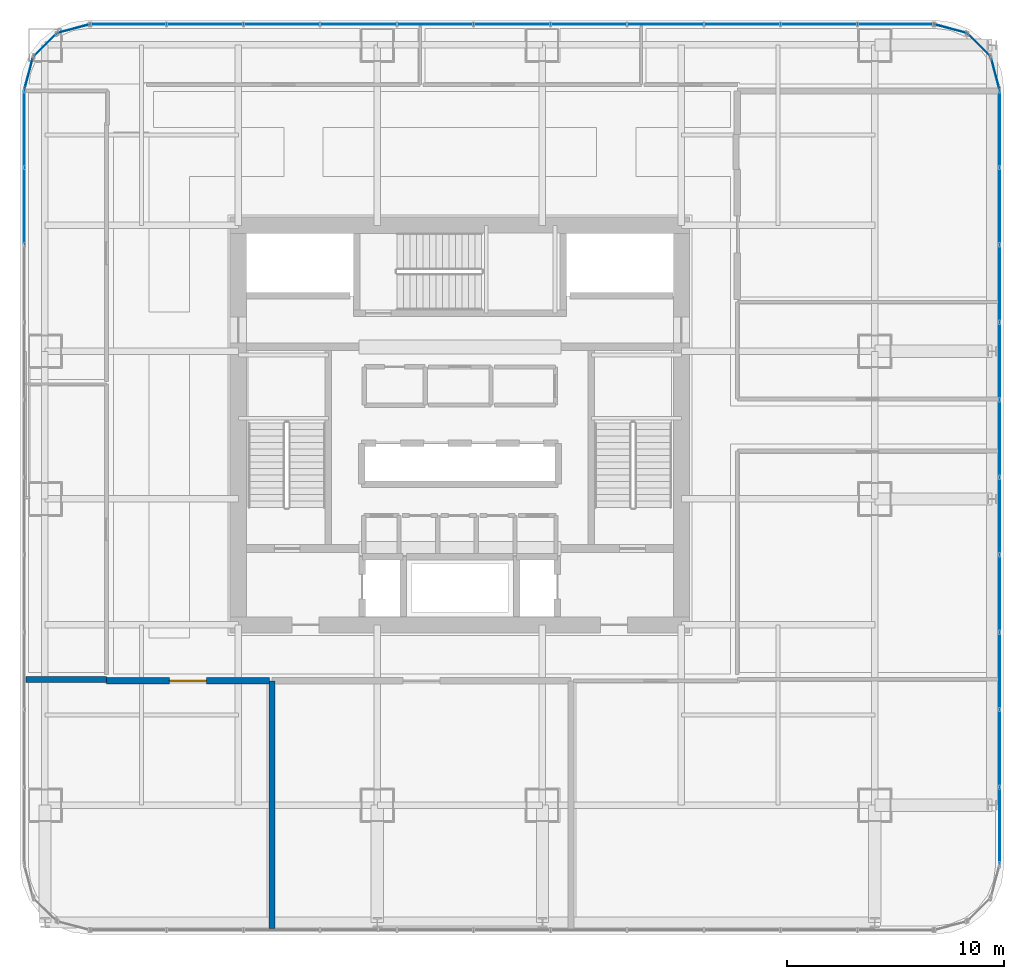
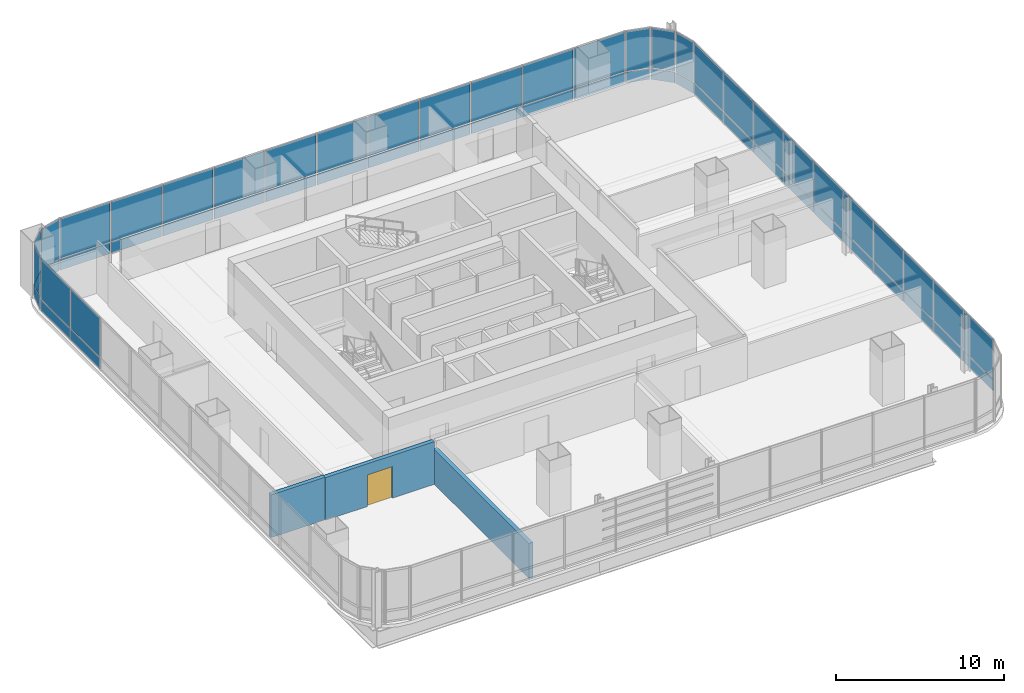
# One storey, part 26 of 34: 58 plates, 3 walls, 1 door, 1 opening, 9 elements without a shape of their own.
"""IFC4 building model written with IfcOpenShell, lengths in metres."""

from ifc_helpers import new_model, si_unit, direction, frame, frame_2d, origin, origin_2d, place, context, subcontext, project, spatial, rectangle, extrude, material, layer, layer_set, type_object, element, fill, aggregate, save


model = new_model("IFC4")

# Units and contexts
model_context = context("Model", 3, precision=1e-05, world=origin(), true_north=direction((0.0, 1.0)))
body_context = subcontext(model_context, "Body", "Model", "MODEL_VIEW")
ifc_project = project(units=[si_unit("LENGTHUNIT", "METRE"), si_unit("AREAUNIT", "SQUARE_METRE"), si_unit("VOLUMEUNIT", "CUBIC_METRE"), si_unit("PLANEANGLEUNIT", "RADIAN"), si_unit("MASSUNIT", "GRAM", prefix="KILO")], contexts=[model_context])

# Site, building, storey
site_placement = place(None, origin())
site = spatial("IfcSite", under=ifc_project, at=site_placement, CompositionType="ELEMENT")
building_placement = place(site_placement, origin())
building = spatial("IfcBuilding", under=site, at=building_placement, Name="Punatoya Terracotta Tower", CompositionType="ELEMENT")
storey_placement = place(building_placement, frame((0.0, 0.0, 80.85009765625)))
storey = spatial("IfcBuildingStorey", under=building, at=storey_placement, Name="L18", CompositionType="ELEMENT", Elevation=80.85009765625)

# Curtain wall, plates
ifc_material_1 = material(Name="Aluminium 6063-T6 + Double Low-E Glass", Category="aluminium")
curtain_wall_type = type_object("IfcCurtainWallType", Name="CW-M1", PredefinedType="NOTDEFINED", material=ifc_material_1)
curtain_wall_1_placement = place(storey_placement, origin())
curtain_wall_1 = element("IfcCurtainWall", 1, at=curtain_wall_1_placement, inside=storey, type_object=curtain_wall_type, Name="L18 Curtain Wall CW-L18-E05-1", PredefinedType="NOTDEFINED")
ifc_material_2 = material(Name="Double Low-E Clear Vision Glass", Category="glass")
ifc_layer_1 = layer(ifc_material_2, 0.028076171875)
ifc_layer_set_1 = layer_set([ifc_layer_1], Name="Double Low-E Clear Vision Glass")
plate_type_1 = type_object("IfcPlateType", Name="PLT-GLZ-28", PredefinedType="CURTAIN_PANEL", material=ifc_layer_set_1)
plate_1_placement = place(storey_placement, frame((24.85009765625, -18.453125, 0.889892578125), z_axis=(0.0, 0.0, 1.0), x_axis=(0.0, 1.0, 0.0)))
plate_1 = element("IfcPlate", 2, at=plate_1_placement, type_object=plate_type_1, Name="CW-L18-E05-1 Vision Glass Panel 1", PredefinedType="CURTAIN_PANEL", context=body_context, shape_type="SweptSolid", body=[
    extrude(rectangle(XDim=3.482421875, YDim=0.028076171875, at=origin_2d()), origin(), (0.0, 0.0, 1.0), 2.8798828125),
])
plate_2_placement = place(storey_placement, frame((24.85009765625, -14.8857421875, 0.889892578125), z_axis=(0.0, 0.0, 1.0), x_axis=(0.0, 1.0, 0.0)))
plate_2 = element("IfcPlate", 3, at=plate_2_placement, type_object=plate_type_1, Name="CW-L18-E05-1 Vision Glass Panel 2", PredefinedType="CURTAIN_PANEL", context=body_context, shape_type="SweptSolid", body=[
    extrude(rectangle(XDim=3.482421875, YDim=0.028076171875, at=origin_2d()), origin(), (0.0, 0.0, 1.0), 2.8798828125),
])
plate_3_placement = place(storey_placement, frame((24.85009765625, -11.318359375, 0.889892578125), z_axis=(0.0, 0.0, 1.0), x_axis=(0.0, 1.0, 0.0)))
plate_3 = element("IfcPlate", 4, at=plate_3_placement, type_object=plate_type_1, Name="CW-L18-E05-1 Vision Glass Panel 3", PredefinedType="CURTAIN_PANEL", context=body_context, shape_type="SweptSolid", body=[
    extrude(rectangle(XDim=3.482421875, YDim=0.028076171875, at=origin_2d()), origin(), (0.0, 0.0, 1.0), 2.8798828125),
])
plate_4_placement = place(storey_placement, frame((24.85009765625, -7.751220703125, 0.889892578125), z_axis=(0.0, 0.0, 1.0), x_axis=(0.0, 1.0, 0.0)))
plate_4 = element("IfcPlate", 5, at=plate_4_placement, type_object=plate_type_1, Name="CW-L18-E05-1 Vision Glass Panel 4", PredefinedType="CURTAIN_PANEL", context=body_context, shape_type="SweptSolid", body=[
    extrude(rectangle(XDim=3.482421875, YDim=0.028076171875, at=origin_2d()), origin(), (0.0, 0.0, 1.0), 2.8798828125),
])
plate_5_placement = place(storey_placement, frame((24.85009765625, -4.18359375, 0.889892578125), z_axis=(0.0, 0.0, 1.0), x_axis=(0.0, 1.0, 0.0)))
plate_5 = element("IfcPlate", 6, at=plate_5_placement, type_object=plate_type_1, Name="CW-L18-E05-1 Vision Glass Panel 5", PredefinedType="CURTAIN_PANEL", context=body_context, shape_type="SweptSolid", body=[
    extrude(rectangle(XDim=3.482421875, YDim=0.028076171875, at=origin_2d()), origin(), (0.0, 0.0, 1.0), 2.8798828125),
])
plate_6_placement = place(storey_placement, frame((24.85009765625, -0.6162109375, 0.889892578125), z_axis=(0.0, 0.0, 1.0), x_axis=(0.0, 1.0, 0.0)))
plate_6 = element("IfcPlate", 7, at=plate_6_placement, type_object=plate_type_1, Name="CW-L18-E05-1 Vision Glass Panel 6", PredefinedType="CURTAIN_PANEL", context=body_context, shape_type="SweptSolid", body=[
    extrude(rectangle(XDim=3.482421875, YDim=0.028076171875, at=origin_2d()), origin(), (0.0, 0.0, 1.0), 2.8798828125),
])
plate_7_placement = place(storey_placement, frame((24.85009765625, 2.951171875, 0.889892578125), z_axis=(0.0, 0.0, 1.0), x_axis=(0.0, 1.0, 0.0)))
plate_7 = element("IfcPlate", 8, at=plate_7_placement, type_object=plate_type_1, Name="CW-L18-E05-1 Vision Glass Panel 7", PredefinedType="CURTAIN_PANEL", context=body_context, shape_type="SweptSolid", body=[
    extrude(rectangle(XDim=3.482421875, YDim=0.028076171875, at=origin_2d()), origin(), (0.0, 0.0, 1.0), 2.8798828125),
])
plate_8_placement = place(storey_placement, frame((24.85009765625, 6.518310546875, 0.889892578125), z_axis=(0.0, 0.0, 1.0), x_axis=(0.0, 1.0, 0.0)))
plate_8 = element("IfcPlate", 9, at=plate_8_placement, type_object=plate_type_1, Name="CW-L18-E05-1 Vision Glass Panel 8", PredefinedType="CURTAIN_PANEL", context=body_context, shape_type="SweptSolid", body=[
    extrude(rectangle(XDim=3.482421875, YDim=0.028076171875, at=origin_2d()), origin(), (0.0, 0.0, 1.0), 2.8798828125),
])
plate_9_placement = place(storey_placement, frame((24.85009765625, 10.085693359375, 0.889892578125), z_axis=(0.0, 0.0, 1.0), x_axis=(0.0, 1.0, 0.0)))
plate_9 = element("IfcPlate", 10, at=plate_9_placement, type_object=plate_type_1, Name="CW-L18-E05-1 Vision Glass Panel 9", PredefinedType="CURTAIN_PANEL", context=body_context, shape_type="SweptSolid", body=[
    extrude(rectangle(XDim=3.482421875, YDim=0.028076171875, at=origin_2d()), origin(), (0.0, 0.0, 1.0), 2.8798828125),
])
plate_10_placement = place(storey_placement, frame((24.85009765625, 13.6533203125, 0.889892578125), z_axis=(0.0, 0.0, 1.0), x_axis=(0.0, 1.0, 0.0)))
plate_10 = element("IfcPlate", 11, at=plate_10_placement, type_object=plate_type_1, Name="CW-L18-E05-1 Vision Glass Panel 10", PredefinedType="CURTAIN_PANEL", context=body_context, shape_type="SweptSolid", body=[
    extrude(rectangle(XDim=3.482421875, YDim=0.028076171875, at=origin_2d()), origin(), (0.0, 0.0, 1.0), 2.8798828125),
])

# Curtain wall, plate
curtain_wall_2_placement = place(storey_placement, origin())
curtain_wall_2 = element("IfcCurtainWall", 12, at=curtain_wall_2_placement, inside=storey, type_object=curtain_wall_type, Name="L18 Curtain Wall CW-L18-CRN06", PredefinedType="NOTDEFINED")
plate_11_placement = place(storey_placement, frame((24.648193359375, 16.193115234375, 0.889892578125), z_axis=(0.0, 0.0, 1.0), x_axis=(-0.257741620719, 0.966213877436, 0.0)))
plate_11 = element("IfcPlate", 13, at=plate_11_placement, type_object=plate_type_1, Name="CW-L18-CRN06 Vision Glass Panel 1", PredefinedType="CURTAIN_PANEL", context=body_context, shape_type="SweptSolid", body=[
    extrude(rectangle(XDim=1.47998046875, YDim=0.028076171875, at=origin_2d()), origin(), (0.0, 0.0, 1.0), 2.8798828125),
])

curtain_wall_3_placement = place(storey_placement, origin())
curtain_wall_3 = element("IfcCurtainWall", 14, at=curtain_wall_3_placement, inside=storey, type_object=curtain_wall_type, Name="L18 Curtain Wall CW-L18-CRN07", PredefinedType="NOTDEFINED")
plate_12_placement = place(storey_placement, frame((23.89794921875, 17.497802734375, 0.889892578125), z_axis=(0.0, 0.0, 1.0), x_axis=(-0.707106781187, 0.707106781187, 0.0)))
plate_12 = element("IfcPlate", 15, at=plate_12_placement, type_object=plate_type_1, Name="CW-L18-CRN07 Vision Glass Panel 1", PredefinedType="CURTAIN_PANEL", context=body_context, shape_type="SweptSolid", body=[
    extrude(rectangle(XDim=1.467041015625, YDim=0.028076171875, at=origin_2d()), origin(), (0.0, 0.0, 1.0), 2.8798828125),
])

curtain_wall_4_placement = place(storey_placement, origin())
curtain_wall_4 = element("IfcCurtainWall", 16, at=curtain_wall_4_placement, inside=storey, type_object=curtain_wall_type, Name="L18 Curtain Wall CW-L18-CRN08", PredefinedType="NOTDEFINED")
plate_13_placement = place(storey_placement, frame((22.593017578125, 18.248291015625, 0.889892578125), z_axis=(0.0, 0.0, 1.0), x_axis=(-0.966213877436, 0.257741620719, 0.0)))
plate_13 = element("IfcPlate", 17, at=plate_13_placement, type_object=plate_type_1, Name="CW-L18-CRN08 Vision Glass Panel 1", PredefinedType="CURTAIN_PANEL", context=body_context, shape_type="SweptSolid", body=[
    extrude(rectangle(XDim=1.47998046875, YDim=0.028076171875, at=origin_2d()), origin(), (0.0, 0.0, 1.0), 2.8798828125),
])

# Curtain wall, plates
curtain_wall_5_placement = place(storey_placement, origin())
curtain_wall_5 = element("IfcCurtainWall", 18, at=curtain_wall_5_placement, inside=storey, type_object=curtain_wall_type, Name="L18 Curtain Wall CW-L18-N09-1", PredefinedType="NOTDEFINED")
plate_14_placement = place(storey_placement, frame((20.06982421875, 18.449951171875, 0.889892578125), z_axis=(0.0, 0.0, 1.0), x_axis=(-1.0, 0.0, 0.0)))
plate_14 = element("IfcPlate", 19, at=plate_14_placement, type_object=plate_type_1, Name="CW-L18-N09-1 Vision Glass Panel 1", PredefinedType="CURTAIN_PANEL", context=body_context, shape_type="SweptSolid", body=[
    extrude(rectangle(XDim=3.448974609375, YDim=0.028076171875, at=origin_2d()), origin(), (0.0, 0.0, 1.0), 2.8798828125),
])
plate_15_placement = place(storey_placement, frame((16.535888671875, 18.449951171875, 0.889892578125), z_axis=(0.0, 0.0, 1.0), x_axis=(-1.0, 0.0, 0.0)))
plate_15 = element("IfcPlate", 20, at=plate_15_placement, type_object=plate_type_1, Name="CW-L18-N09-1 Vision Glass Panel 2", PredefinedType="CURTAIN_PANEL", context=body_context, shape_type="SweptSolid", body=[
    extrude(rectangle(XDim=3.448974609375, YDim=0.028076171875, at=origin_2d()), origin(), (0.0, 0.0, 1.0), 2.8798828125),
])
plate_16_placement = place(storey_placement, frame((13.001953125, 18.449951171875, 0.889892578125), z_axis=(0.0, 0.0, 1.0), x_axis=(-1.0, 0.0, 0.0)))
plate_16 = element("IfcPlate", 21, at=plate_16_placement, type_object=plate_type_1, Name="CW-L18-N09-1 Vision Glass Panel 3", PredefinedType="CURTAIN_PANEL", context=body_context, shape_type="SweptSolid", body=[
    extrude(rectangle(XDim=3.448974609375, YDim=0.028076171875, at=origin_2d()), origin(), (0.0, 0.0, 1.0), 2.8798828125),
])
plate_17_placement = place(storey_placement, frame((9.468017578125, 18.449951171875, 0.889892578125), z_axis=(0.0, 0.0, 1.0), x_axis=(-1.0, 0.0, 0.0)))
plate_17 = element("IfcPlate", 22, at=plate_17_placement, type_object=plate_type_1, Name="CW-L18-N09-1 Vision Glass Panel 4", PredefinedType="CURTAIN_PANEL", context=body_context, shape_type="SweptSolid", body=[
    extrude(rectangle(XDim=3.448974609375, YDim=0.028076171875, at=origin_2d()), origin(), (0.0, 0.0, 1.0), 2.8798828125),
])
plate_18_placement = place(storey_placement, frame((5.93408203125, 18.449951171875, 0.889892578125), z_axis=(0.0, 0.0, 1.0), x_axis=(-1.0, 0.0, 0.0)))
plate_18 = element("IfcPlate", 23, at=plate_18_placement, type_object=plate_type_1, Name="CW-L18-N09-1 Vision Glass Panel 5", PredefinedType="CURTAIN_PANEL", context=body_context, shape_type="SweptSolid", body=[
    extrude(rectangle(XDim=3.448974609375, YDim=0.028076171875, at=origin_2d()), origin(), (0.0, 0.0, 1.0), 2.8798828125),
])
plate_19_placement = place(storey_placement, frame((2.39990234375, 18.449951171875, 0.889892578125), z_axis=(0.0, 0.0, 1.0), x_axis=(-1.0, 0.0, 0.0)))
plate_19 = element("IfcPlate", 24, at=plate_19_placement, type_object=plate_type_1, Name="CW-L18-N09-1 Vision Glass Panel 6", PredefinedType="CURTAIN_PANEL", context=body_context, shape_type="SweptSolid", body=[
    extrude(rectangle(XDim=3.448974609375, YDim=0.028076171875, at=origin_2d()), origin(), (0.0, 0.0, 1.0), 2.8798828125),
])
plate_20_placement = place(storey_placement, frame((-1.134033203125, 18.449951171875, 0.889892578125), z_axis=(0.0, 0.0, 1.0), x_axis=(-1.0, 0.0, 0.0)))
plate_20 = element("IfcPlate", 25, at=plate_20_placement, type_object=plate_type_1, Name="CW-L18-N09-1 Vision Glass Panel 7", PredefinedType="CURTAIN_PANEL", context=body_context, shape_type="SweptSolid", body=[
    extrude(rectangle(XDim=3.448974609375, YDim=0.028076171875, at=origin_2d()), origin(), (0.0, 0.0, 1.0), 2.8798828125),
])
plate_21_placement = place(storey_placement, frame((-4.66796875, 18.449951171875, 0.889892578125), z_axis=(0.0, 0.0, 1.0), x_axis=(-1.0, 0.0, 0.0)))
plate_21 = element("IfcPlate", 26, at=plate_21_placement, type_object=plate_type_1, Name="CW-L18-N09-1 Vision Glass Panel 8", PredefinedType="CURTAIN_PANEL", context=body_context, shape_type="SweptSolid", body=[
    extrude(rectangle(XDim=3.448974609375, YDim=0.028076171875, at=origin_2d()), origin(), (0.0, 0.0, 1.0), 2.8798828125),
])
plate_22_placement = place(storey_placement, frame((-8.201904296875, 18.449951171875, 0.889892578125), z_axis=(0.0, 0.0, 1.0), x_axis=(-1.0, 0.0, 0.0)))
plate_22 = element("IfcPlate", 27, at=plate_22_placement, type_object=plate_type_1, Name="CW-L18-N09-1 Vision Glass Panel 9", PredefinedType="CURTAIN_PANEL", context=body_context, shape_type="SweptSolid", body=[
    extrude(rectangle(XDim=3.448974609375, YDim=0.028076171875, at=origin_2d()), origin(), (0.0, 0.0, 1.0), 2.8798828125),
])
plate_23_placement = place(storey_placement, frame((-11.73583984375, 18.449951171875, 0.889892578125), z_axis=(0.0, 0.0, 1.0), x_axis=(-1.0, 0.0, 0.0)))
plate_23 = element("IfcPlate", 28, at=plate_23_placement, type_object=plate_type_1, Name="CW-L18-N09-1 Vision Glass Panel 10", PredefinedType="CURTAIN_PANEL", context=body_context, shape_type="SweptSolid", body=[
    extrude(rectangle(XDim=3.448974609375, YDim=0.028076171875, at=origin_2d()), origin(), (0.0, 0.0, 1.0), 2.8798828125),
])
plate_24_placement = place(storey_placement, frame((-15.27001953125, 18.449951171875, 0.889892578125), z_axis=(0.0, 0.0, 1.0), x_axis=(-1.0, 0.0, 0.0)))
plate_24 = element("IfcPlate", 29, at=plate_24_placement, type_object=plate_type_1, Name="CW-L18-N09-1 Vision Glass Panel 11", PredefinedType="CURTAIN_PANEL", context=body_context, shape_type="SweptSolid", body=[
    extrude(rectangle(XDim=3.448974609375, YDim=0.028076171875, at=origin_2d()), origin(), (0.0, 0.0, 1.0), 2.8798828125),
])

# Curtain wall, plate
curtain_wall_6_placement = place(storey_placement, origin())
curtain_wall_6 = element("IfcCurtainWall", 30, at=curtain_wall_6_placement, inside=storey, type_object=curtain_wall_type, Name="L18 Curtain Wall CW-L18-CRN10", PredefinedType="NOTDEFINED")
plate_25_placement = place(storey_placement, frame((-17.79296875, 18.248291015625, 0.889892578125), z_axis=(0.0, 0.0, 1.0), x_axis=(-0.966213877436, -0.257741620719, 0.0)))
plate_25 = element("IfcPlate", 31, at=plate_25_placement, type_object=plate_type_1, Name="CW-L18-CRN10 Vision Glass Panel 1", PredefinedType="CURTAIN_PANEL", context=body_context, shape_type="SweptSolid", body=[
    extrude(rectangle(XDim=1.47998046875, YDim=0.028076171875, at=origin_2d()), origin(), (0.0, 0.0, 1.0), 2.8798828125),
])

curtain_wall_7_placement = place(storey_placement, origin())
curtain_wall_7 = element("IfcCurtainWall", 32, at=curtain_wall_7_placement, inside=storey, type_object=curtain_wall_type, Name="L18 Curtain Wall CW-L18-CRN11", PredefinedType="NOTDEFINED")
plate_26_placement = place(storey_placement, frame((-19.097900390625, 17.497802734375, 0.889892578125), z_axis=(0.0, 0.0, 1.0), x_axis=(-0.707106781187, -0.707106781187, 0.0)))
plate_26 = element("IfcPlate", 33, at=plate_26_placement, type_object=plate_type_1, Name="CW-L18-CRN11 Vision Glass Panel 1", PredefinedType="CURTAIN_PANEL", context=body_context, shape_type="SweptSolid", body=[
    extrude(rectangle(XDim=1.467041015625, YDim=0.028076171875, at=origin_2d()), origin(), (0.0, 0.0, 1.0), 2.8798828125),
])

curtain_wall_8_placement = place(storey_placement, origin())
curtain_wall_8 = element("IfcCurtainWall", 34, at=curtain_wall_8_placement, inside=storey, type_object=curtain_wall_type, Name="L18 Curtain Wall CW-L18-CRN12", PredefinedType="NOTDEFINED")
plate_27_placement = place(storey_placement, frame((-19.848388671875, 16.193115234375, 0.889892578125), z_axis=(0.0, 0.0, 1.0), x_axis=(-0.257741620719, -0.966213877436, 0.0)))
plate_27 = element("IfcPlate", 35, at=plate_27_placement, type_object=plate_type_1, Name="CW-L18-CRN12 Vision Glass Panel 1", PredefinedType="CURTAIN_PANEL", context=body_context, shape_type="SweptSolid", body=[
    extrude(rectangle(XDim=1.47998046875, YDim=0.028076171875, at=origin_2d()), origin(), (0.0, 0.0, 1.0), 2.8798828125),
])

# Curtain wall, plates
curtain_wall_9_placement = place(storey_placement, origin())
curtain_wall_9 = element("IfcCurtainWall", 36, at=curtain_wall_9_placement, inside=storey, type_object=curtain_wall_type, Name="L18 Curtain Wall CW-L18-W13-1", PredefinedType="NOTDEFINED")
plate_28_placement = place(storey_placement, frame((-20.050048828125, 13.6533203125, 0.889892578125), z_axis=(0.0, 0.0, 1.0), x_axis=(0.0, -1.0, 0.0)))
plate_28 = element("IfcPlate", 37, at=plate_28_placement, type_object=plate_type_1, Name="CW-L18-W13-1 Vision Glass Panel 1", PredefinedType="CURTAIN_PANEL", context=body_context, shape_type="SweptSolid", body=[
    extrude(rectangle(XDim=3.482421875, YDim=0.028076171875, at=origin_2d()), origin(), (0.0, 0.0, 1.0), 2.8798828125),
])
plate_29_placement = place(storey_placement, frame((-20.050048828125, 10.085693359375, 0.889892578125), z_axis=(0.0, 0.0, 1.0), x_axis=(0.0, -1.0, 0.0)))
plate_29 = element("IfcPlate", 38, at=plate_29_placement, type_object=plate_type_1, Name="CW-L18-W13-1 Vision Glass Panel 2", PredefinedType="CURTAIN_PANEL", context=body_context, shape_type="SweptSolid", body=[
    extrude(rectangle(XDim=3.482421875, YDim=0.028076171875, at=origin_2d()), origin(), (0.0, 0.0, 1.0), 2.8798828125),
])

# Plate
ifc_material_3 = material(Name="Insulated Terracotta-Backed Spandrel Panel", Category="masonry")
ifc_layer_2 = layer(ifc_material_3, 0.044921875)
ifc_layer_set_2 = layer_set([ifc_layer_2], Name="Insulated Terracotta-Backed Spandrel Panel")
plate_type_2 = type_object("IfcPlateType", Name="PLT-SPN-45", PredefinedType="CURTAIN_PANEL", material=ifc_layer_set_2)
plate_30_placement = place(storey_placement, frame((24.85009765625, -18.453125, 0.0400390625), z_axis=(0.0, 0.0, 1.0), x_axis=(0.0, 1.0, 0.0)))
plate_30 = element("IfcPlate", 39, at=plate_30_placement, type_object=plate_type_2, Name="CW-L18-E05-1 Terracotta Spandrel Panel 1", PredefinedType="CURTAIN_PANEL", context=body_context, shape_type="SweptSolid", body=[
    extrude(rectangle(XDim=3.482421875, YDim=0.044921875, at=origin_2d()), origin(), (0.0, 0.0, 1.0), 0.77490234375),
])

plate_31_placement = place(storey_placement, frame((24.85009765625, -14.8857421875, 0.0400390625), z_axis=(0.0, 0.0, 1.0), x_axis=(0.0, 1.0, 0.0)))
plate_31 = element("IfcPlate", 40, at=plate_31_placement, type_object=plate_type_2, Name="CW-L18-E05-1 Terracotta Spandrel Panel 2", PredefinedType="CURTAIN_PANEL", context=body_context, shape_type="SweptSolid", body=[
    extrude(rectangle(XDim=3.482421875, YDim=0.044921875, at=origin_2d()), origin(), (0.0, 0.0, 1.0), 0.77490234375),
])

plate_32_placement = place(storey_placement, frame((24.85009765625, -11.318359375, 0.0400390625), z_axis=(0.0, 0.0, 1.0), x_axis=(0.0, 1.0, 0.0)))
plate_32 = element("IfcPlate", 41, at=plate_32_placement, type_object=plate_type_2, Name="CW-L18-E05-1 Terracotta Spandrel Panel 3", PredefinedType="CURTAIN_PANEL", context=body_context, shape_type="SweptSolid", body=[
    extrude(rectangle(XDim=3.482421875, YDim=0.044921875, at=origin_2d()), origin(), (0.0, 0.0, 1.0), 0.77490234375),
])

plate_33_placement = place(storey_placement, frame((24.85009765625, -7.751220703125, 0.0400390625), z_axis=(0.0, 0.0, 1.0), x_axis=(0.0, 1.0, 0.0)))
plate_33 = element("IfcPlate", 42, at=plate_33_placement, type_object=plate_type_2, Name="CW-L18-E05-1 Terracotta Spandrel Panel 4", PredefinedType="CURTAIN_PANEL", context=body_context, shape_type="SweptSolid", body=[
    extrude(rectangle(XDim=3.482421875, YDim=0.044921875, at=origin_2d()), origin(), (0.0, 0.0, 1.0), 0.77490234375),
])

plate_34_placement = place(storey_placement, frame((24.85009765625, -4.18359375, 0.0400390625), z_axis=(0.0, 0.0, 1.0), x_axis=(0.0, 1.0, 0.0)))
plate_34 = element("IfcPlate", 43, at=plate_34_placement, type_object=plate_type_2, Name="CW-L18-E05-1 Terracotta Spandrel Panel 5", PredefinedType="CURTAIN_PANEL", context=body_context, shape_type="SweptSolid", body=[
    extrude(rectangle(XDim=3.482421875, YDim=0.044921875, at=origin_2d()), origin(), (0.0, 0.0, 1.0), 0.77490234375),
])

plate_35_placement = place(storey_placement, frame((24.85009765625, -0.6162109375, 0.0400390625), z_axis=(0.0, 0.0, 1.0), x_axis=(0.0, 1.0, 0.0)))
plate_35 = element("IfcPlate", 44, at=plate_35_placement, type_object=plate_type_2, Name="CW-L18-E05-1 Terracotta Spandrel Panel 6", PredefinedType="CURTAIN_PANEL", context=body_context, shape_type="SweptSolid", body=[
    extrude(rectangle(XDim=3.482421875, YDim=0.044921875, at=origin_2d()), origin(), (0.0, 0.0, 1.0), 0.77490234375),
])

plate_36_placement = place(storey_placement, frame((24.85009765625, 2.951171875, 0.0400390625), z_axis=(0.0, 0.0, 1.0), x_axis=(0.0, 1.0, 0.0)))
plate_36 = element("IfcPlate", 45, at=plate_36_placement, type_object=plate_type_2, Name="CW-L18-E05-1 Terracotta Spandrel Panel 7", PredefinedType="CURTAIN_PANEL", context=body_context, shape_type="SweptSolid", body=[
    extrude(rectangle(XDim=3.482421875, YDim=0.044921875, at=origin_2d()), origin(), (0.0, 0.0, 1.0), 0.77490234375),
])

plate_37_placement = place(storey_placement, frame((24.85009765625, 6.518310546875, 0.0400390625), z_axis=(0.0, 0.0, 1.0), x_axis=(0.0, 1.0, 0.0)))
plate_37 = element("IfcPlate", 46, at=plate_37_placement, type_object=plate_type_2, Name="CW-L18-E05-1 Terracotta Spandrel Panel 8", PredefinedType="CURTAIN_PANEL", context=body_context, shape_type="SweptSolid", body=[
    extrude(rectangle(XDim=3.482421875, YDim=0.044921875, at=origin_2d()), origin(), (0.0, 0.0, 1.0), 0.77490234375),
])

plate_38_placement = place(storey_placement, frame((24.85009765625, 10.085693359375, 0.0400390625), z_axis=(0.0, 0.0, 1.0), x_axis=(0.0, 1.0, 0.0)))
plate_38 = element("IfcPlate", 47, at=plate_38_placement, type_object=plate_type_2, Name="CW-L18-E05-1 Terracotta Spandrel Panel 9", PredefinedType="CURTAIN_PANEL", context=body_context, shape_type="SweptSolid", body=[
    extrude(rectangle(XDim=3.482421875, YDim=0.044921875, at=origin_2d()), origin(), (0.0, 0.0, 1.0), 0.77490234375),
])

plate_39_placement = place(storey_placement, frame((24.85009765625, 13.6533203125, 0.0400390625), z_axis=(0.0, 0.0, 1.0), x_axis=(0.0, 1.0, 0.0)))
plate_39 = element("IfcPlate", 48, at=plate_39_placement, type_object=plate_type_2, Name="CW-L18-E05-1 Terracotta Spandrel Panel 10", PredefinedType="CURTAIN_PANEL", context=body_context, shape_type="SweptSolid", body=[
    extrude(rectangle(XDim=3.482421875, YDim=0.044921875, at=origin_2d()), origin(), (0.0, 0.0, 1.0), 0.77490234375),
])

aggregate(curtain_wall_1, [plate_30, plate_1, plate_31, plate_2, plate_32, plate_3, plate_33, plate_4, plate_34, plate_5, plate_35, plate_6, plate_36, plate_7, plate_37, plate_8, plate_38, plate_9, plate_39, plate_10])

plate_40_placement = place(storey_placement, frame((24.648193359375, 16.193115234375, 0.0400390625), z_axis=(0.0, 0.0, 1.0), x_axis=(-0.257741620719, 0.966213877436, 0.0)))
plate_40 = element("IfcPlate", 49, at=plate_40_placement, type_object=plate_type_2, Name="CW-L18-CRN06 Terracotta Spandrel Panel 1", PredefinedType="CURTAIN_PANEL", context=body_context, shape_type="SweptSolid", body=[
    extrude(rectangle(XDim=1.47998046875, YDim=0.044921875, at=origin_2d()), origin(), (0.0, 0.0, 1.0), 0.77490234375),
])

aggregate(curtain_wall_2, [plate_40, plate_11])

plate_41_placement = place(storey_placement, frame((23.89794921875, 17.497802734375, 0.0400390625), z_axis=(0.0, 0.0, 1.0), x_axis=(-0.707106781187, 0.707106781187, 0.0)))
plate_41 = element("IfcPlate", 50, at=plate_41_placement, type_object=plate_type_2, Name="CW-L18-CRN07 Terracotta Spandrel Panel 1", PredefinedType="CURTAIN_PANEL", context=body_context, shape_type="SweptSolid", body=[
    extrude(rectangle(XDim=1.467041015625, YDim=0.044921875, at=origin_2d()), origin(), (0.0, 0.0, 1.0), 0.77490234375),
])

aggregate(curtain_wall_3, [plate_41, plate_12])

plate_42_placement = place(storey_placement, frame((22.593017578125, 18.248291015625, 0.0400390625), z_axis=(0.0, 0.0, 1.0), x_axis=(-0.966213877436, 0.257741620719, 0.0)))
plate_42 = element("IfcPlate", 51, at=plate_42_placement, type_object=plate_type_2, Name="CW-L18-CRN08 Terracotta Spandrel Panel 1", PredefinedType="CURTAIN_PANEL", context=body_context, shape_type="SweptSolid", body=[
    extrude(rectangle(XDim=1.47998046875, YDim=0.044921875, at=origin_2d()), origin(), (0.0, 0.0, 1.0), 0.77490234375),
])

aggregate(curtain_wall_4, [plate_42, plate_13])

plate_43_placement = place(storey_placement, frame((20.06982421875, 18.449951171875, 0.0400390625), z_axis=(0.0, 0.0, 1.0), x_axis=(-1.0, 0.0, 0.0)))
plate_43 = element("IfcPlate", 52, at=plate_43_placement, type_object=plate_type_2, Name="CW-L18-N09-1 Terracotta Spandrel Panel 1", PredefinedType="CURTAIN_PANEL", context=body_context, shape_type="SweptSolid", body=[
    extrude(rectangle(XDim=3.448974609375, YDim=0.044921875, at=origin_2d()), origin(), (0.0, 0.0, 1.0), 0.77490234375),
])

plate_44_placement = place(storey_placement, frame((16.535888671875, 18.449951171875, 0.0400390625), z_axis=(0.0, 0.0, 1.0), x_axis=(-1.0, 0.0, 0.0)))
plate_44 = element("IfcPlate", 53, at=plate_44_placement, type_object=plate_type_2, Name="CW-L18-N09-1 Terracotta Spandrel Panel 2", PredefinedType="CURTAIN_PANEL", context=body_context, shape_type="SweptSolid", body=[
    extrude(rectangle(XDim=3.448974609375, YDim=0.044921875, at=origin_2d()), origin(), (0.0, 0.0, 1.0), 0.77490234375),
])

plate_45_placement = place(storey_placement, frame((13.001953125, 18.449951171875, 0.0400390625), z_axis=(0.0, 0.0, 1.0), x_axis=(-1.0, 0.0, 0.0)))
plate_45 = element("IfcPlate", 54, at=plate_45_placement, type_object=plate_type_2, Name="CW-L18-N09-1 Terracotta Spandrel Panel 3", PredefinedType="CURTAIN_PANEL", context=body_context, shape_type="SweptSolid", body=[
    extrude(rectangle(XDim=3.448974609375, YDim=0.044921875, at=origin_2d()), origin(), (0.0, 0.0, 1.0), 0.77490234375),
])

plate_46_placement = place(storey_placement, frame((9.468017578125, 18.449951171875, 0.0400390625), z_axis=(0.0, 0.0, 1.0), x_axis=(-1.0, 0.0, 0.0)))
plate_46 = element("IfcPlate", 55, at=plate_46_placement, type_object=plate_type_2, Name="CW-L18-N09-1 Terracotta Spandrel Panel 4", PredefinedType="CURTAIN_PANEL", context=body_context, shape_type="SweptSolid", body=[
    extrude(rectangle(XDim=3.448974609375, YDim=0.044921875, at=origin_2d()), origin(), (0.0, 0.0, 1.0), 0.77490234375),
])

plate_47_placement = place(storey_placement, frame((5.93408203125, 18.449951171875, 0.0400390625), z_axis=(0.0, 0.0, 1.0), x_axis=(-1.0, 0.0, 0.0)))
plate_47 = element("IfcPlate", 56, at=plate_47_placement, type_object=plate_type_2, Name="CW-L18-N09-1 Terracotta Spandrel Panel 5", PredefinedType="CURTAIN_PANEL", context=body_context, shape_type="SweptSolid", body=[
    extrude(rectangle(XDim=3.448974609375, YDim=0.044921875, at=origin_2d()), origin(), (0.0, 0.0, 1.0), 0.77490234375),
])

plate_48_placement = place(storey_placement, frame((2.39990234375, 18.449951171875, 0.0400390625), z_axis=(0.0, 0.0, 1.0), x_axis=(-1.0, 0.0, 0.0)))
plate_48 = element("IfcPlate", 57, at=plate_48_placement, type_object=plate_type_2, Name="CW-L18-N09-1 Terracotta Spandrel Panel 6", PredefinedType="CURTAIN_PANEL", context=body_context, shape_type="SweptSolid", body=[
    extrude(rectangle(XDim=3.448974609375, YDim=0.044921875, at=origin_2d()), origin(), (0.0, 0.0, 1.0), 0.77490234375),
])

plate_49_placement = place(storey_placement, frame((-1.134033203125, 18.449951171875, 0.0400390625), z_axis=(0.0, 0.0, 1.0), x_axis=(-1.0, 0.0, 0.0)))
plate_49 = element("IfcPlate", 58, at=plate_49_placement, type_object=plate_type_2, Name="CW-L18-N09-1 Terracotta Spandrel Panel 7", PredefinedType="CURTAIN_PANEL", context=body_context, shape_type="SweptSolid", body=[
    extrude(rectangle(XDim=3.448974609375, YDim=0.044921875, at=origin_2d()), origin(), (0.0, 0.0, 1.0), 0.77490234375),
])

plate_50_placement = place(storey_placement, frame((-4.66796875, 18.449951171875, 0.0400390625), z_axis=(0.0, 0.0, 1.0), x_axis=(-1.0, 0.0, 0.0)))
plate_50 = element("IfcPlate", 59, at=plate_50_placement, type_object=plate_type_2, Name="CW-L18-N09-1 Terracotta Spandrel Panel 8", PredefinedType="CURTAIN_PANEL", context=body_context, shape_type="SweptSolid", body=[
    extrude(rectangle(XDim=3.448974609375, YDim=0.044921875, at=origin_2d()), origin(), (0.0, 0.0, 1.0), 0.77490234375),
])

plate_51_placement = place(storey_placement, frame((-8.201904296875, 18.449951171875, 0.0400390625), z_axis=(0.0, 0.0, 1.0), x_axis=(-1.0, 0.0, 0.0)))
plate_51 = element("IfcPlate", 60, at=plate_51_placement, type_object=plate_type_2, Name="CW-L18-N09-1 Terracotta Spandrel Panel 9", PredefinedType="CURTAIN_PANEL", context=body_context, shape_type="SweptSolid", body=[
    extrude(rectangle(XDim=3.448974609375, YDim=0.044921875, at=origin_2d()), origin(), (0.0, 0.0, 1.0), 0.77490234375),
])

plate_52_placement = place(storey_placement, frame((-11.73583984375, 18.449951171875, 0.0400390625), z_axis=(0.0, 0.0, 1.0), x_axis=(-1.0, 0.0, 0.0)))
plate_52 = element("IfcPlate", 61, at=plate_52_placement, type_object=plate_type_2, Name="CW-L18-N09-1 Terracotta Spandrel Panel 10", PredefinedType="CURTAIN_PANEL", context=body_context, shape_type="SweptSolid", body=[
    extrude(rectangle(XDim=3.448974609375, YDim=0.044921875, at=origin_2d()), origin(), (0.0, 0.0, 1.0), 0.77490234375),
])

plate_53_placement = place(storey_placement, frame((-15.27001953125, 18.449951171875, 0.0400390625), z_axis=(0.0, 0.0, 1.0), x_axis=(-1.0, 0.0, 0.0)))
plate_53 = element("IfcPlate", 62, at=plate_53_placement, type_object=plate_type_2, Name="CW-L18-N09-1 Terracotta Spandrel Panel 11", PredefinedType="CURTAIN_PANEL", context=body_context, shape_type="SweptSolid", body=[
    extrude(rectangle(XDim=3.448974609375, YDim=0.044921875, at=origin_2d()), origin(), (0.0, 0.0, 1.0), 0.77490234375),
])

aggregate(curtain_wall_5, [plate_43, plate_14, plate_44, plate_15, plate_45, plate_16, plate_46, plate_17, plate_47, plate_18, plate_48, plate_19, plate_49, plate_20, plate_50, plate_21, plate_51, plate_22, plate_52, plate_23, plate_53, plate_24])

plate_54_placement = place(storey_placement, frame((-17.79296875, 18.248291015625, 0.0400390625), z_axis=(0.0, 0.0, 1.0), x_axis=(-0.966213877436, -0.257741620719, 0.0)))
plate_54 = element("IfcPlate", 63, at=plate_54_placement, type_object=plate_type_2, Name="CW-L18-CRN10 Terracotta Spandrel Panel 1", PredefinedType="CURTAIN_PANEL", context=body_context, shape_type="SweptSolid", body=[
    extrude(rectangle(XDim=1.47998046875, YDim=0.044921875, at=origin_2d()), origin(), (0.0, 0.0, 1.0), 0.77490234375),
])

aggregate(curtain_wall_6, [plate_54, plate_25])

plate_55_placement = place(storey_placement, frame((-19.097900390625, 17.497802734375, 0.0400390625), z_axis=(0.0, 0.0, 1.0), x_axis=(-0.707106781187, -0.707106781187, 0.0)))
plate_55 = element("IfcPlate", 64, at=plate_55_placement, type_object=plate_type_2, Name="CW-L18-CRN11 Terracotta Spandrel Panel 1", PredefinedType="CURTAIN_PANEL", context=body_context, shape_type="SweptSolid", body=[
    extrude(rectangle(XDim=1.467041015625, YDim=0.044921875, at=origin_2d()), origin(), (0.0, 0.0, 1.0), 0.77490234375),
])

aggregate(curtain_wall_7, [plate_55, plate_26])

plate_56_placement = place(storey_placement, frame((-19.848388671875, 16.193115234375, 0.0400390625), z_axis=(0.0, 0.0, 1.0), x_axis=(-0.257741620719, -0.966213877436, 0.0)))
plate_56 = element("IfcPlate", 65, at=plate_56_placement, type_object=plate_type_2, Name="CW-L18-CRN12 Terracotta Spandrel Panel 1", PredefinedType="CURTAIN_PANEL", context=body_context, shape_type="SweptSolid", body=[
    extrude(rectangle(XDim=1.47998046875, YDim=0.044921875, at=origin_2d()), origin(), (0.0, 0.0, 1.0), 0.77490234375),
])

aggregate(curtain_wall_8, [plate_56, plate_27])

plate_57_placement = place(storey_placement, frame((-20.050048828125, 13.6533203125, 0.0400390625), z_axis=(0.0, 0.0, 1.0), x_axis=(0.0, -1.0, 0.0)))
plate_57 = element("IfcPlate", 66, at=plate_57_placement, type_object=plate_type_2, Name="CW-L18-W13-1 Terracotta Spandrel Panel 1", PredefinedType="CURTAIN_PANEL", context=body_context, shape_type="SweptSolid", body=[
    extrude(rectangle(XDim=3.482421875, YDim=0.044921875, at=origin_2d()), origin(), (0.0, 0.0, 1.0), 0.77490234375),
])

plate_58_placement = place(storey_placement, frame((-20.050048828125, 10.085693359375, 0.0400390625), z_axis=(0.0, 0.0, 1.0), x_axis=(0.0, -1.0, 0.0)))
plate_58 = element("IfcPlate", 67, at=plate_58_placement, type_object=plate_type_2, Name="CW-L18-W13-1 Terracotta Spandrel Panel 2", PredefinedType="CURTAIN_PANEL", context=body_context, shape_type="SweptSolid", body=[
    extrude(rectangle(XDim=3.482421875, YDim=0.044921875, at=origin_2d()), origin(), (0.0, 0.0, 1.0), 0.77490234375),
])

aggregate(curtain_wall_9, [plate_57, plate_28, plate_58, plate_29])

# Walls
ifc_material_4 = material(Name="Concrete C40/50", Category="concrete")
ifc_layer_3 = layer(ifc_material_4, 0.280029296875)
ifc_layer_set_3 = layer_set([ifc_layer_3], Name="Concrete C40/50")
wall_type = type_object("IfcWallType", Name="WL-AUD-280", PredefinedType="SOLIDWALL", material=ifc_layer_set_3)
wall_1_placement = place(storey_placement, frame((-8.652099609375, -23.169921875, 0.0), z_axis=(0.0, 0.0, 1.0), x_axis=(0.0, 1.0, 0.0)))
element("IfcWall", 68, at=wall_1_placement, inside=storey, type_object=wall_type, Name="L18 Client Dining Salon Partition 23", PredefinedType="SOLIDWALL", context=body_context, shape_type="SweptSolid", body=[
    extrude(rectangle(XDim=11.39990234375, YDim=0.280029296875, at=frame_2d((5.699951171875, 0.0))), origin(), (0.0, 0.0, 1.0), 2.52392578125),
])
wall_2_placement = place(storey_placement, frame((-19.969970703125, -11.7099609375, 0.0), z_axis=(0.0, 0.0, 1.0), x_axis=(1.0, 0.0, 0.0)))
element("IfcWall", 69, at=wall_2_placement, inside=storey, type_object=wall_type, Name="L18 Open-Plan Executive Bistro Lounge Partition 25", PredefinedType="SOLIDWALL", context=body_context, shape_type="SweptSolid", body=[
    extrude(rectangle(XDim=3.699951171875, YDim=0.280029296875, at=frame_2d((1.85009765625, 0.0))), origin(), (0.0, 0.0, 1.0), 3.10400390625),
])

# Wall, opening, door
wall_3_placement = place(storey_placement, frame((-16.27001953125, -11.77001953125, 0.0), z_axis=(0.0, 0.0, 1.0), x_axis=(1.0, 0.0, 0.0)))
wall_3 = element("IfcWall", 70, at=wall_3_placement, inside=storey, type_object=wall_type, Name="L18 Open-Plan Executive Bistro Lounge Partition 26", PredefinedType="SOLIDWALL", context=body_context, shape_type="SweptSolid", body=[
    extrude(rectangle(XDim=7.498046875, YDim=0.280029296875, at=frame_2d((3.7490234375, 0.0))), origin(), (0.0, 0.0, 1.0), 3.10400390625),
])
opening_placement = place(wall_3_placement, frame((2.89892578125, 0.0, 0.0)))
opening = element("IfcOpeningElement", 71, at=opening_placement, cuts=wall_3, Name="Opening FD-D1", PredefinedType="OPENING", context=body_context, shape_type="SweptSolid", body=[
    extrude(rectangle(XDim=1.699951171875, YDim=2.300048828125, at=frame_2d((0.85009765625, 1.14990234375))), frame((0.0, 0.14990234375, 0.0), z_axis=(0.0, -1.0, 0.0), x_axis=(1.0, 0.0, 0.0)), (0.0, 0.0, 1.0), 0.300048828125),
])
ifc_material_5 = material(Name="Timber Teak Veneer Fire Leaf", Category="wood")
door_type = type_object("IfcDoorType", Name="DR-DIN-1700", OperationType="NOTDEFINED", PredefinedType="DOOR", material=ifc_material_5)
door_placement = place(opening_placement, origin())
door = element("IfcDoor", 72, at=door_placement, inside=storey, type_object=door_type, Name="L18 Open-Plan Executive Bistro Lounge Fire Door", OperationType="DOUBLE_DOOR_SINGLE_SWING", OverallHeight=2.300048828125, OverallWidth=1.699951171875, PredefinedType="DOOR", context=body_context, shape_type="SweptSolid", body=[
    extrude(rectangle(XDim=1.699951171875, YDim=2.300048828125, at=frame_2d((0.85009765625, 1.14990234375))), frame((0.0, 0.02490234375, 0.0), z_axis=(0.0, -1.0, 0.0), x_axis=(1.0, 0.0, 0.0)), (0.0, 0.0, 1.0), 0.050048828125),
])
fill(opening, door)

save(model, "model.ifc")
